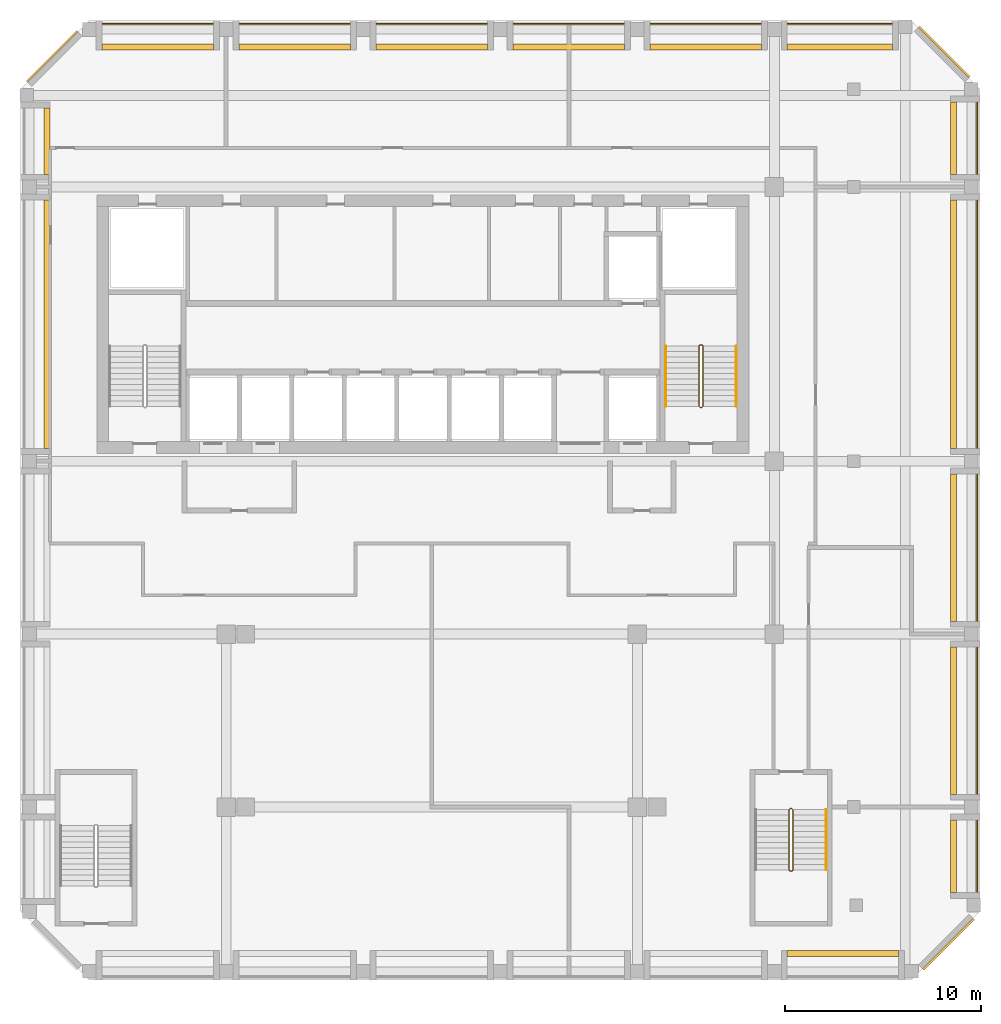
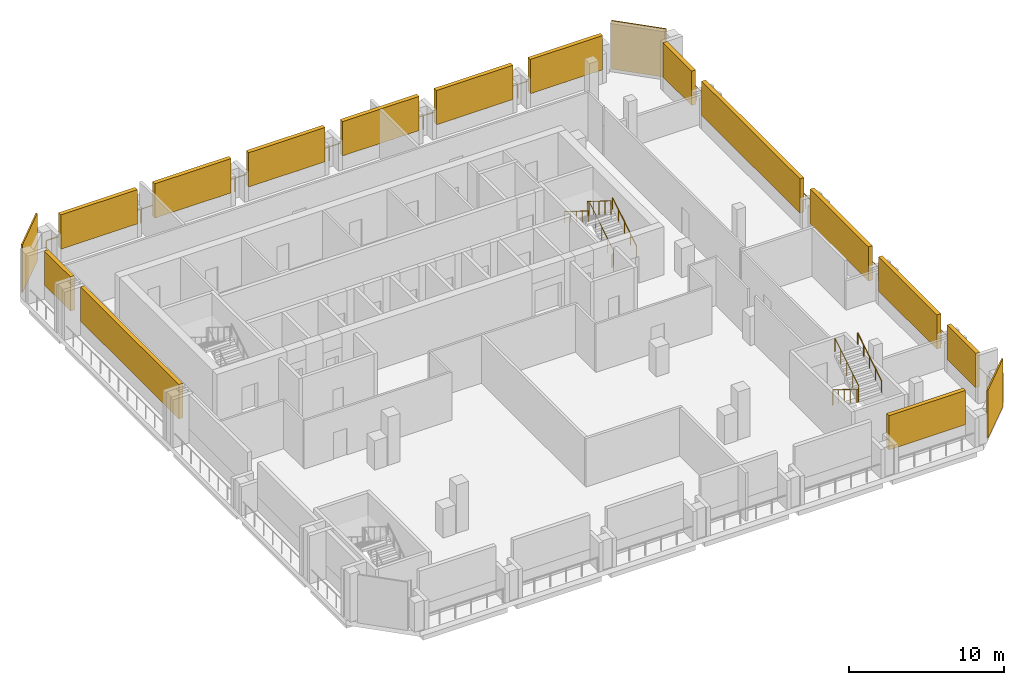
# One storey, part 7 of 7: 17 shading devices, 7 railings.
"""IFC4 building model written with IfcOpenShell, lengths in metres."""

import ifcopenshell
import ifcopenshell.guid

model = None  # the IFC model being written
_history = None  # IfcOwnerHistory: only IFC2X3 demands one
_inside = {}  # id of a spatial element -> (the spatial element, [elements in it])
_under = {}  # id of a project, library or spatial element -> (it, [spatial elements below it])
_declared = {}  # id of a project -> (the project, [libraries it declares])
_typed = {}  # id of a type object -> (the type object, [elements of that type])
_made_of = {}  # id of a material, layer set ... -> (it, [elements and type objects made of it])


def new_model(schema):
    """Start an empty IFC model of exactly this schema.

    Asked for "IFC4X3", IfcOpenShell would pick the latest addendum, in which some entities
    have other attributes; the version numbers below select the first issue.
    IFC2X3 requires an IfcOwnerHistory on every rooted entity: one is made here for all.
    """
    global model, _history
    if schema == "IFC4X3":
        model = ifcopenshell.file(schema_version=(4, 3, 0, 0))
    else:
        model = ifcopenshell.file(schema=schema)
    _inside.clear()
    _under.clear()
    _declared.clear()
    _typed.clear()
    _made_of.clear()
    _history = None
    if model.schema == "IFC2X3":
        org = make("IfcOrganization", Name="unknown")
        user = make(
            "IfcPersonAndOrganization",
            ThePerson=make("IfcPerson", FamilyName="unknown"),
            TheOrganization=org,
        )
        app = make(
            "IfcApplication",
            ApplicationDeveloper=org,
            Version="unknown",
            ApplicationFullName="unknown",
            ApplicationIdentifier="unknown",
        )
        _history = make(
            "IfcOwnerHistory",
            OwningUser=user,
            OwningApplication=app,
            ChangeAction="ADDED",
            CreationDate=0,
        )
    return model


def make(cls, **values):
    """One entity of the class cls with the attributes given. An attribute that is None is left unset."""
    return model.create_entity(
        cls, **{name: value for name, value in values.items() if value is not None}
    )


def rooted(cls, **values):
    """An entity with a GlobalId (a new one), such as an element, a storey or a relation."""
    return make(cls, GlobalId=ifcopenshell.guid.new(), OwnerHistory=_history, **values)


def si_unit(unit_type, name, prefix=None):
    """IfcSIUnit, for example si_unit("LENGTHUNIT", "METRE", prefix="MILLI")."""
    return make("IfcSIUnit", UnitType=unit_type, Prefix=prefix, Name=name)


def assignment(units):
    """IfcUnitAssignment: the units of a project."""
    return None if units is None else make("IfcUnitAssignment", Units=units)


def point(xyz):
    """IfcCartesianPoint."""
    return None if xyz is None else make("IfcCartesianPoint", Coordinates=xyz)


def direction(xyz):
    """IfcDirection."""
    return None if xyz is None else make("IfcDirection", DirectionRatios=xyz)


def frame(location, z_axis=None, x_axis=None):
    """IfcAxis2Placement3D, a coordinate frame: its origin and axes. An axis left out is left unset."""
    return make(
        "IfcAxis2Placement3D",
        Location=point(location),
        Axis=direction(z_axis),
        RefDirection=direction(x_axis),
    )


def frame_2d(location, x_axis=None):
    """IfcAxis2Placement2D, a coordinate frame in the plane: its origin and x axis."""
    return make(
        "IfcAxis2Placement2D", Location=point(location), RefDirection=direction(x_axis)
    )


def origin():
    """The frame at (0, 0, 0) with its axes left unset."""
    return frame((0.0, 0.0, 0.0))


def origin_2d():
    """The frame at (0, 0) in the plane with its x axis left unset."""
    return frame_2d((0.0, 0.0))


def place(relative_to, where):
    """IfcLocalPlacement: puts the frame where relative to a parent placement (None: the world)."""
    return make(
        "IfcLocalPlacement", PlacementRelTo=relative_to, RelativePlacement=where
    )


def context(
    kind, dimensions, precision=None, world=None, true_north=None, identifier=None
):
    """IfcGeometricRepresentationContext, for example the 3D "Model" context."""
    return make(
        "IfcGeometricRepresentationContext",
        ContextIdentifier=identifier,
        ContextType=kind,
        CoordinateSpaceDimension=dimensions,
        Precision=precision,
        WorldCoordinateSystem=world,
        TrueNorth=true_north,
    )


def subcontext(parent, identifier, kind, view, scale=None):
    """IfcGeometricRepresentationSubContext, for example "Body" below "Model"."""
    return make(
        "IfcGeometricRepresentationSubContext",
        ContextIdentifier=identifier,
        ContextType=kind,
        ParentContext=parent,
        TargetScale=scale,
        TargetView=view,
    )


def project(units=None, contexts=None):
    """IfcProject with its units and contexts."""
    return rooted(
        "IfcProject",
        Name="project",
        RepresentationContexts=contexts,
        UnitsInContext=assignment(units),
    )


def spatial(cls, under=None, at=None, **own):
    """A site, building, storey or space (cls), placed at a placement, below another one or the project."""
    s = rooted(cls, ObjectPlacement=at, **own)
    if under is not None:
        _under.setdefault(under.id(), (under, []))[1].append(s)
    return s


def profile(cls, at=None, kind="AREA", **sizes):
    """A parametric profile (cls). Its sizes go by their IFC names, for example OverallWidth=200.0."""
    return make(cls, ProfileType=kind, Position=at, **sizes)


def rectangle(**sizes):
    """IfcRectangleProfileDef."""
    return profile("IfcRectangleProfileDef", **sizes)


def circle(**sizes):
    """IfcCircleProfileDef."""
    return profile("IfcCircleProfileDef", **sizes)


def extrude(swept, where, along, depth):
    """IfcExtrudedAreaSolid: the profile swept, set in the frame where, extruded along a direction by depth."""
    return make(
        "IfcExtrudedAreaSolid",
        SweptArea=swept,
        Position=where,
        ExtrudedDirection=direction(along),
        Depth=depth,
    )


def shape(context_of_items, identifier, shape_type, items):
    """IfcShapeRepresentation: the items that make up one representation, for example the "Body"."""
    return make(
        "IfcShapeRepresentation",
        ContextOfItems=context_of_items,
        RepresentationIdentifier=identifier,
        RepresentationType=shape_type,
        Items=items,
    )


def source(mapping_origin, context_of_items, identifier, shape_type, items):
    """IfcRepresentationMap: a shape defined once, which mapped items show again and again."""
    return make(
        "IfcRepresentationMap",
        MappingOrigin=mapping_origin,
        MappedRepresentation=shape(context_of_items, identifier, shape_type, items),
    )


def transform(
    local_origin,
    x_axis=None,
    y_axis=None,
    z_axis=None,
    scale=None,
    scale2=None,
    scale3=None,
    uniform=True,
):
    """IfcCartesianTransformationOperator3D, or its non-uniform kind. x_axis, y_axis, z_axis: its Axis1, 2, 3."""
    if uniform:
        return make(
            "IfcCartesianTransformationOperator3D",
            Axis1=direction(x_axis),
            Axis2=direction(y_axis),
            LocalOrigin=point(local_origin),
            Scale=scale,
            Axis3=direction(z_axis),
        )
    return make(
        "IfcCartesianTransformationOperator3DnonUniform",
        Axis1=direction(x_axis),
        Axis2=direction(y_axis),
        LocalOrigin=point(local_origin),
        Scale=scale,
        Axis3=direction(z_axis),
        Scale2=scale2,
        Scale3=scale3,
    )


def mapped(mapping_source, mapping_target):
    """IfcMappedItem: shows the shape of a source again, moved by a transform."""
    return make(
        "IfcMappedItem", MappingSource=mapping_source, MappingTarget=mapping_target
    )


def material(Name=None, Category=None):
    """IfcMaterial."""
    return make("IfcMaterial", Name=Name, Category=Category)


def layer(
    of_material, thickness, ventilated=None, Name=None, Category=None, Priority=None
):
    """IfcMaterialLayer: one layer of a wall or slab, of a material (None: an air gap)."""
    return make(
        "IfcMaterialLayer",
        Material=of_material,
        LayerThickness=thickness,
        IsVentilated=ventilated,
        Name=Name,
        Category=Category,
        Priority=Priority,
    )


def layer_set(layers, Name=None):
    """IfcMaterialLayerSet."""
    return make("IfcMaterialLayerSet", MaterialLayers=layers, LayerSetName=Name)


def made_of(thing, what):
    """Note that an element or type object is made of a material, layer set ...; save() writes the relation."""
    if what is not None:
        _made_of.setdefault(what.id(), (what, []))[1].append(thing)
    return thing


def type_object(cls, material=None, **own):
    """A type object (cls), such as IfcWallType, which elements share."""
    return made_of(rooted(cls, **own), material)


def element(
    cls,
    number,
    at=None,
    inside=None,
    cuts=None,
    type_object=None,
    material=None,
    context=None,
    identifier="Body",
    shape_type=None,
    held_by="IfcProductDefinitionShape",
    body=None,
    shapes=None,
    **own,
):
    """One element of the class cls, such as IfcWall. Its Tag is "e" and its number.

    at: its placement. inside: the storey or other place that contains it. cuts: it is an
    opening in that element (IfcRelVoidsElement). A single representation is given by context,
    identifier, shape_type and body (its items); several are given by shapes. held_by: the class
    of the entity that holds the representations. save() writes the other relations.
    """
    e = rooted(cls, Tag="e%d" % number, ObjectPlacement=at, **own)
    if body is not None:
        shapes = [shape(context, identifier, shape_type, body)]
    if shapes is not None:
        e.Representation = make(held_by, Representations=shapes)
    if inside is not None:
        _inside.setdefault(inside.id(), (inside, []))[1].append(e)
    if cuts is not None:
        rooted(
            "IfcRelVoidsElement", RelatingBuildingElement=cuts, RelatedOpeningElement=e
        )
    if type_object is not None:
        _typed.setdefault(type_object.id(), (type_object, []))[1].append(e)
    return made_of(e, material)


def aggregate(whole, parts):
    """IfcRelAggregates: a whole, such as a stair, and the parts it consists of."""
    return rooted("IfcRelAggregates", RelatingObject=whole, RelatedObjects=parts)


def save(model, path):
    """Write the relations noted so far, then the file.

    IfcRelAggregates (storeys below a building ...), IfcRelContainedInSpatialStructure (elements
    in a storey), IfcRelDefinesByType, IfcRelAssociatesMaterial and IfcRelDeclares: one each for
    every whole, place, type object, material and project.
    """
    for whole, parts in _under.values():
        aggregate(whole, parts)
    for where, things in _inside.values():
        rooted(
            "IfcRelContainedInSpatialStructure",
            RelatedElements=things,
            RelatingStructure=where,
        )
    for kind, things in _typed.values():
        rooted("IfcRelDefinesByType", RelatedObjects=things, RelatingType=kind)
    for what, things in _made_of.values():
        rooted("IfcRelAssociatesMaterial", RelatedObjects=things, RelatingMaterial=what)
    for by, libraries in _declared.values():
        rooted("IfcRelDeclares", RelatingContext=by, RelatedDefinitions=libraries)
    model.write(path)


model = new_model("IFC4")

# Units and contexts
model_context = context("Model", 3, precision=1e-05, world=origin(), true_north=direction((0.0, 1.0)))
body_context = subcontext(model_context, "Body", "Model", "MODEL_VIEW")
ifc_project = project(units=[si_unit("LENGTHUNIT", "METRE"), si_unit("AREAUNIT", "SQUARE_METRE"), si_unit("VOLUMEUNIT", "CUBIC_METRE"), si_unit("PLANEANGLEUNIT", "RADIAN"), si_unit("MASSUNIT", "GRAM", prefix="KILO")], contexts=[model_context])

# Site, building, storey
site_placement = place(None, origin())
site = spatial("IfcSite", under=ifc_project, at=site_placement, CompositionType="ELEMENT")
building_placement = place(site_placement, origin())
building = spatial("IfcBuilding", under=site, at=building_placement, Name="Kilnfold Tower and Market Hall", CompositionType="ELEMENT")
storey_placement = place(building_placement, frame((0.0, 0.0, 262.800048828125)))
storey = spatial("IfcBuildingStorey", under=building, at=storey_placement, Name="L64 Plant Transfer Level", CompositionType="ELEMENT", Elevation=262.800048828125)

# Railings
ifc_material_1 = material(Name="Stainless steel 316", Category="steel")
railing_type_1 = type_object("IfcRailingType", Name="CORE STAIR GUARD 1100", PredefinedType="GUARDRAIL", material=ifc_material_1)
railing_1_placement = place(storey_placement, frame((15.199951171875, 10.75, 0.0)))
element("IfcRailing", 1, at=railing_1_placement, inside=storey, type_object=railing_type_1, Name="L64 Plant Transfer Level ST2 stair guard 1", PredefinedType="GUARDRAIL", context=body_context, shape_type="SweptSolid", body=[
    extrude(circle(Radius=0.02392578125, at=origin_2d()), frame((0.0, 0.0, 1.076171875), z_axis=(1.0, 0.0, 0.0), x_axis=(0.0, 1.0, 0.0)), (0.0, 0.0, 1.0), 0.10009765625),
    extrude(circle(Radius=0.02392578125, at=origin_2d()), frame((0.10009765625, 0.0, 1.076171875), z_axis=(0.265065253269, 0.265065253269, 0.927081885822), x_axis=(-0.707106781187, 0.707106781187, 0.0)), (0.0, 0.0, 1.0), 0.188720703125),
    extrude(circle(Radius=0.02392578125, at=origin_2d()), frame((0.150146484375, 0.050048828125, 1.2509765625), z_axis=(0.0, 0.848009633417, 0.529980812513), x_axis=(-1.0, 0.0, 0.0)), (0.0, 0.0, 1.0), 3.6318359375),
    extrude(circle(Radius=0.02392578125, at=origin_2d()), frame((0.150146484375, 3.1298828125, 3.17578125), z_axis=(-0.707106781187, 0.707106781187, 0.0), x_axis=(-0.707106781187, -0.707106781187, 0.0)), (0.0, 0.0, 1.0), 0.07080078125),
    extrude(circle(Radius=0.02392578125, at=origin_2d()), frame((0.10009765625, 3.179931640625, 3.17578125), z_axis=(-1.0, 0.0, 0.0), x_axis=(0.0, -1.0, 0.0)), (0.0, 0.0, 1.0), 0.10009765625),
    extrude(circle(Radius=0.02392578125, at=origin_2d()), frame((0.0, 3.179931640625, 3.17578125), z_axis=(-0.265065253269, -0.265065253269, 0.927081885822), x_axis=(0.707106781187, -0.707106781187, 0.0)), (0.0, 0.0, 1.0), 0.188720703125),
    extrude(circle(Radius=0.02392578125, at=origin_2d()), frame((-0.050048828125, 3.1298828125, 3.35107421875), z_axis=(0.0, -0.847979421464, 0.530029150871), x_axis=(1.0, 0.0, 0.0)), (0.0, 0.0, 1.0), 3.632080078125),
    extrude(circle(Radius=0.02099609375, at=origin_2d()), origin(), (0.0, 0.0, 1.0), 1.052001953125),
    extrude(circle(Radius=0.02099609375, at=origin_2d()), frame((0.10009765625, 0.0, 0.0)), (0.0, 0.0, 1.0), 1.052001953125),
    extrude(circle(Radius=0.02099609375, at=origin_2d()), frame((0.150146484375, 0.050048828125, 0.175048828125)), (0.0, 0.0, 1.0), 1.052001953125),
    extrude(circle(Radius=0.02099609375, at=origin_2d()), frame((0.150146484375, 0.820068359375, 0.65625)), (0.0, 0.0, 1.0), 1.052001953125),
    extrude(circle(Radius=0.02099609375, at=origin_2d()), frame((0.150146484375, 1.58984375, 1.137451171875)), (0.0, 0.0, 1.0), 1.052001953125),
    extrude(circle(Radius=0.02099609375, at=origin_2d()), frame((0.150146484375, 2.35986328125, 1.61865234375)), (0.0, 0.0, 1.0), 1.052001953125),
    extrude(circle(Radius=0.02099609375, at=origin_2d()), frame((0.150146484375, 3.1298828125, 2.099853515625)), (0.0, 0.0, 1.0), 1.052001953125),
    extrude(circle(Radius=0.02099609375, at=origin_2d()), frame((0.10009765625, 3.179931640625, 2.099853515625)), (0.0, 0.0, 1.0), 1.052001953125),
    extrude(circle(Radius=0.02099609375, at=origin_2d()), frame((0.0, 3.179931640625, 2.099853515625)), (0.0, 0.0, 1.0), 1.052001953125),
    extrude(circle(Radius=0.02099609375, at=origin_2d()), frame((-0.050048828125, 3.1298828125, 2.27490234375)), (0.0, 0.0, 1.0), 1.052001953125),
    extrude(circle(Radius=0.02099609375, at=origin_2d()), frame((-0.050048828125, 2.35986328125, 2.756103515625)), (0.0, 0.0, 1.0), 1.052001953125),
    extrude(circle(Radius=0.02099609375, at=origin_2d()), frame((-0.050048828125, 1.58984375, 3.2373046875)), (0.0, 0.0, 1.0), 1.052001953125),
    extrude(circle(Radius=0.02099609375, at=origin_2d()), frame((-0.050048828125, 0.820068359375, 3.71875)), (0.0, 0.0, 1.0), 1.052001953125),
    extrude(circle(Radius=0.02099609375, at=origin_2d()), frame((-0.050048828125, 0.050048828125, 4.199951171875)), (0.0, 0.0, 1.0), 1.052001953125),
])
railing_2_placement = place(storey_placement, frame((19.89990234375, -9.75, 0.0)))
element("IfcRailing", 2, at=railing_2_placement, inside=storey, type_object=railing_type_1, Name="L64 Plant Transfer Level ST4 stair guard 1", PredefinedType="GUARDRAIL", context=body_context, shape_type="SweptSolid", body=[
    extrude(circle(Radius=0.02392578125, at=origin_2d()), frame((0.0, 0.0, 1.076171875), z_axis=(-1.0, 0.0, 0.0), x_axis=(0.0, -1.0, 0.0)), (0.0, 0.0, 1.0), 0.099853515625),
    extrude(circle(Radius=0.02392578125, at=origin_2d()), frame((-0.099853515625, 0.0, 1.076171875), z_axis=(-0.265065253269, -0.265065253269, 0.927081885822), x_axis=(0.707106781187, -0.707106781187, 0.0)), (0.0, 0.0, 1.0), 0.188720703125),
    extrude(circle(Radius=0.02392578125, at=origin_2d()), frame((-0.14990234375, -0.050048828125, 1.2509765625), z_axis=(0.0, -0.848009633417, 0.529980812513), x_axis=(1.0, 0.0, 0.0)), (0.0, 0.0, 1.0), 3.6318359375),
    extrude(circle(Radius=0.02392578125, at=origin_2d()), frame((-0.14990234375, -3.1298828125, 3.17578125), z_axis=(0.707106781187, -0.707106781187, 0.0), x_axis=(0.707106781187, 0.707106781187, 0.0)), (0.0, 0.0, 1.0), 0.07080078125),
    extrude(circle(Radius=0.02392578125, at=origin_2d()), frame((-0.099853515625, -3.179931640625, 3.17578125), z_axis=(1.0, 0.0, 0.0), x_axis=(0.0, 1.0, 0.0)), (0.0, 0.0, 1.0), 0.099853515625),
    extrude(circle(Radius=0.02392578125, at=origin_2d()), frame((0.0, -3.179931640625, 3.17578125), z_axis=(0.265065253269, 0.265065253269, 0.927081885822), x_axis=(-0.707106781187, 0.707106781187, 0.0)), (0.0, 0.0, 1.0), 0.188720703125),
    extrude(circle(Radius=0.02392578125, at=origin_2d()), frame((0.050048828125, -3.1298828125, 3.35107421875), z_axis=(0.0, 0.847979421464, 0.530029150871), x_axis=(-1.0, 0.0, 0.0)), (0.0, 0.0, 1.0), 3.632080078125),
    extrude(circle(Radius=0.02099609375, at=origin_2d()), origin(), (0.0, 0.0, 1.0), 1.052001953125),
    extrude(circle(Radius=0.02099609375, at=origin_2d()), frame((-0.099853515625, 0.0, 0.0)), (0.0, 0.0, 1.0), 1.052001953125),
    extrude(circle(Radius=0.02099609375, at=origin_2d()), frame((-0.14990234375, -0.050048828125, 0.175048828125)), (0.0, 0.0, 1.0), 1.052001953125),
    extrude(circle(Radius=0.02099609375, at=origin_2d()), frame((-0.14990234375, -0.820068359375, 0.65625)), (0.0, 0.0, 1.0), 1.052001953125),
    extrude(circle(Radius=0.02099609375, at=origin_2d()), frame((-0.14990234375, -1.58984375, 1.137451171875)), (0.0, 0.0, 1.0), 1.052001953125),
    extrude(circle(Radius=0.02099609375, at=origin_2d()), frame((-0.14990234375, -2.35986328125, 1.61865234375)), (0.0, 0.0, 1.0), 1.052001953125),
    extrude(circle(Radius=0.02099609375, at=origin_2d()), frame((-0.14990234375, -3.1298828125, 2.099853515625)), (0.0, 0.0, 1.0), 1.052001953125),
    extrude(circle(Radius=0.02099609375, at=origin_2d()), frame((-0.099853515625, -3.179931640625, 2.099853515625)), (0.0, 0.0, 1.0), 1.052001953125),
    extrude(circle(Radius=0.02099609375, at=origin_2d()), frame((0.0, -3.179931640625, 2.099853515625)), (0.0, 0.0, 1.0), 1.052001953125),
    extrude(circle(Radius=0.02099609375, at=origin_2d()), frame((0.050048828125, -3.1298828125, 2.27490234375)), (0.0, 0.0, 1.0), 1.052001953125),
    extrude(circle(Radius=0.02099609375, at=origin_2d()), frame((0.050048828125, -2.35986328125, 2.756103515625)), (0.0, 0.0, 1.0), 1.052001953125),
    extrude(circle(Radius=0.02099609375, at=origin_2d()), frame((0.050048828125, -1.58984375, 3.2373046875)), (0.0, 0.0, 1.0), 1.052001953125),
    extrude(circle(Radius=0.02099609375, at=origin_2d()), frame((0.050048828125, -0.820068359375, 3.71875)), (0.0, 0.0, 1.0), 1.052001953125),
    extrude(circle(Radius=0.02099609375, at=origin_2d()), frame((0.050048828125, -0.050048828125, 4.199951171875)), (0.0, 0.0, 1.0), 1.052001953125),
])
ifc_material_2 = material(Name="Stainless steel 316", Category="steel")
railing_type_2 = type_object("IfcRailingType", Name="CORE STAIR HANDRAIL 900", PredefinedType="HANDRAIL", material=ifc_material_2)
railing_3_placement = place(storey_placement, frame((17.050048828125, 10.800048828125, 0.175048828125)))
element("IfcRailing", 3, at=railing_3_placement, inside=storey, type_object=railing_type_2, Name="L64 Plant Transfer Level ST2 stair handrail 1", PredefinedType="HANDRAIL", context=body_context, shape_type="SweptSolid", body=[
    extrude(circle(Radius=0.02392578125, at=origin_2d()), frame((0.0, 0.0, 0.8759765625), z_axis=(0.0, 0.848009633417, 0.529980812513), x_axis=(-1.0, 0.0, 0.0)), (0.0, 0.0, 1.0), 3.6318359375),
    extrude(circle(Radius=0.02099609375, at=origin_2d()), origin(), (0.0, 0.0, 1.0), 0.851806640625),
    extrude(circle(Radius=0.02099609375, at=origin_2d()), frame((0.0, 0.77001953125, 0.481201171875)), (0.0, 0.0, 1.0), 0.851806640625),
    extrude(circle(Radius=0.02099609375, at=origin_2d()), frame((0.0, 1.5400390625, 0.96240234375)), (0.0, 0.0, 1.0), 0.851806640625),
    extrude(circle(Radius=0.02099609375, at=origin_2d()), frame((0.0, 2.309814453125, 1.443603515625)), (0.0, 0.0, 1.0), 0.851806640625),
    extrude(circle(Radius=0.02099609375, at=origin_2d()), frame((0.0, 3.079833984375, 1.9248046875)), (0.0, 0.0, 1.0), 0.851806640625),
])
railing_4_placement = place(storey_placement, frame((13.449951171875, 13.8798828125, 2.27490234375)))
element("IfcRailing", 4, at=railing_4_placement, inside=storey, type_object=railing_type_2, Name="L64 Plant Transfer Level ST2 stair handrail 2", PredefinedType="HANDRAIL", context=body_context, shape_type="SweptSolid", body=[
    extrude(circle(Radius=0.02392578125, at=origin_2d()), frame((0.0, 0.0, 0.8759765625), z_axis=(0.0, -0.847979421464, 0.530029150871), x_axis=(1.0, 0.0, 0.0)), (0.0, 0.0, 1.0), 3.632080078125),
    extrude(circle(Radius=0.02099609375, at=origin_2d()), origin(), (0.0, 0.0, 1.0), 0.851806640625),
    extrude(circle(Radius=0.02099609375, at=origin_2d()), frame((0.0, -0.77001953125, 0.481201171875)), (0.0, 0.0, 1.0), 0.851806640625),
    extrude(circle(Radius=0.02099609375, at=origin_2d()), frame((0.0, -1.5400390625, 0.96240234375)), (0.0, 0.0, 1.0), 0.851806640625),
    extrude(circle(Radius=0.02099609375, at=origin_2d()), frame((0.0, -2.309814453125, 1.44384765625)), (0.0, 0.0, 1.0), 0.851806640625),
    extrude(circle(Radius=0.02099609375, at=origin_2d()), frame((0.0, -3.079833984375, 1.925048828125)), (0.0, 0.0, 1.0), 0.851806640625),
])
railing_5_placement = place(storey_placement, frame((21.64990234375, -12.8798828125, 2.27490234375)))
element("IfcRailing", 5, at=railing_5_placement, inside=storey, type_object=railing_type_2, Name="L64 Plant Transfer Level ST4 stair handrail 2", PredefinedType="HANDRAIL", context=body_context, shape_type="SweptSolid", body=[
    extrude(circle(Radius=0.02392578125, at=origin_2d()), frame((0.0, 0.0, 0.8759765625), z_axis=(0.0, 0.847979421464, 0.530029150871), x_axis=(-1.0, 0.0, 0.0)), (0.0, 0.0, 1.0), 3.632080078125),
    extrude(circle(Radius=0.02099609375, at=origin_2d()), origin(), (0.0, 0.0, 1.0), 0.851806640625),
    extrude(circle(Radius=0.02099609375, at=origin_2d()), frame((0.0, 0.77001953125, 0.481201171875)), (0.0, 0.0, 1.0), 0.851806640625),
    extrude(circle(Radius=0.02099609375, at=origin_2d()), frame((0.0, 1.5400390625, 0.96240234375)), (0.0, 0.0, 1.0), 0.851806640625),
    extrude(circle(Radius=0.02099609375, at=origin_2d()), frame((0.0, 2.309814453125, 1.44384765625)), (0.0, 0.0, 1.0), 0.851806640625),
    extrude(circle(Radius=0.02099609375, at=origin_2d()), frame((0.0, 3.079833984375, 1.925048828125)), (0.0, 0.0, 1.0), 0.851806640625),
])
ifc_material_3 = material(Name="Stainless steel and laminated glass", Category="steel")
railing_type_3 = type_object("IfcRailingType", Name="GUARD 1100", PredefinedType="GUARDRAIL", material=ifc_material_3)
railing_6_placement = place(storey_placement, frame((29.35009765625, -14.331787109375, 0.0)))
element("IfcRailing", 6, at=railing_6_placement, inside=storey, type_object=railing_type_3, Name="Guard plant edge E L64", PredefinedType="GUARDRAIL", context=body_context, shape_type="SweptSolid", body=[
    extrude(circle(Radius=0.02490234375, at=origin_2d()), frame((0.0, 0.0, 1.0751953125), z_axis=(0.0, 1.0, 0.0), x_axis=(-1.0, 0.0, 0.0)), (0.0, 0.0, 1.0), 40.981689453125),
    extrude(circle(Radius=0.02490234375, at=origin_2d()), origin(), (0.0, 0.0, 1.0), 1.050048828125),
    extrude(circle(Radius=0.02490234375, at=origin_2d()), frame((0.0, 1.1708984375, 0.0)), (0.0, 0.0, 1.0), 1.050048828125),
    extrude(circle(Radius=0.02490234375, at=origin_2d()), frame((0.0, 2.341796875, 0.0)), (0.0, 0.0, 1.0), 1.050048828125),
    extrude(circle(Radius=0.02490234375, at=origin_2d()), frame((0.0, 3.5126953125, 0.0)), (0.0, 0.0, 1.0), 1.050048828125),
    extrude(circle(Radius=0.02490234375, at=origin_2d()), frame((0.0, 4.68359375, 0.0)), (0.0, 0.0, 1.0), 1.050048828125),
    extrude(circle(Radius=0.02490234375, at=origin_2d()), frame((0.0, 5.8544921875, 0.0)), (0.0, 0.0, 1.0), 1.050048828125),
    extrude(circle(Radius=0.02490234375, at=origin_2d()), frame((0.0, 7.025390625, 0.0)), (0.0, 0.0, 1.0), 1.050048828125),
    extrude(circle(Radius=0.02490234375, at=origin_2d()), frame((0.0, 8.1962890625, 0.0)), (0.0, 0.0, 1.0), 1.050048828125),
    extrude(circle(Radius=0.02490234375, at=origin_2d()), frame((0.0, 9.3671875, 0.0)), (0.0, 0.0, 1.0), 1.050048828125),
    extrude(circle(Radius=0.02490234375, at=origin_2d()), frame((0.0, 10.5380859375, 0.0)), (0.0, 0.0, 1.0), 1.050048828125),
    extrude(circle(Radius=0.02490234375, at=origin_2d()), frame((0.0, 11.708984375, 0.0)), (0.0, 0.0, 1.0), 1.050048828125),
    extrude(circle(Radius=0.02490234375, at=origin_2d()), frame((0.0, 12.8798828125, 0.0)), (0.0, 0.0, 1.0), 1.050048828125),
    extrude(circle(Radius=0.02490234375, at=origin_2d()), frame((0.0, 14.05078125, 0.0)), (0.0, 0.0, 1.0), 1.050048828125),
    extrude(circle(Radius=0.02490234375, at=origin_2d()), frame((0.0, 15.2216796875, 0.0)), (0.0, 0.0, 1.0), 1.050048828125),
    extrude(circle(Radius=0.02490234375, at=origin_2d()), frame((0.0, 16.392578125, 0.0)), (0.0, 0.0, 1.0), 1.050048828125),
    extrude(circle(Radius=0.02490234375, at=origin_2d()), frame((0.0, 17.5634765625, 0.0)), (0.0, 0.0, 1.0), 1.050048828125),
    extrude(circle(Radius=0.02490234375, at=origin_2d()), frame((0.0, 18.734375, 0.0)), (0.0, 0.0, 1.0), 1.050048828125),
    extrude(circle(Radius=0.02490234375, at=origin_2d()), frame((0.0, 19.9052734375, 0.0)), (0.0, 0.0, 1.0), 1.050048828125),
    extrude(circle(Radius=0.02490234375, at=origin_2d()), frame((0.0, 21.076416015625, 0.0)), (0.0, 0.0, 1.0), 1.050048828125),
    extrude(circle(Radius=0.02490234375, at=origin_2d()), frame((0.0, 22.247314453125, 0.0)), (0.0, 0.0, 1.0), 1.050048828125),
    extrude(circle(Radius=0.02490234375, at=origin_2d()), frame((0.0, 23.418212890625, 0.0)), (0.0, 0.0, 1.0), 1.050048828125),
    extrude(circle(Radius=0.02490234375, at=origin_2d()), frame((0.0, 24.589111328125, 0.0)), (0.0, 0.0, 1.0), 1.050048828125),
    extrude(circle(Radius=0.02490234375, at=origin_2d()), frame((0.0, 25.760009765625, 0.0)), (0.0, 0.0, 1.0), 1.050048828125),
    extrude(circle(Radius=0.02490234375, at=origin_2d()), frame((0.0, 26.930908203125, 0.0)), (0.0, 0.0, 1.0), 1.050048828125),
    extrude(circle(Radius=0.02490234375, at=origin_2d()), frame((0.0, 28.101806640625, 0.0)), (0.0, 0.0, 1.0), 1.050048828125),
    extrude(circle(Radius=0.02490234375, at=origin_2d()), frame((0.0, 29.272705078125, 0.0)), (0.0, 0.0, 1.0), 1.050048828125),
    extrude(circle(Radius=0.02490234375, at=origin_2d()), frame((0.0, 30.443603515625, 0.0)), (0.0, 0.0, 1.0), 1.050048828125),
    extrude(circle(Radius=0.02490234375, at=origin_2d()), frame((0.0, 31.614501953125, 0.0)), (0.0, 0.0, 1.0), 1.050048828125),
    extrude(circle(Radius=0.02490234375, at=origin_2d()), frame((0.0, 32.785400390625, 0.0)), (0.0, 0.0, 1.0), 1.050048828125),
    extrude(circle(Radius=0.02490234375, at=origin_2d()), frame((0.0, 33.956298828125, 0.0)), (0.0, 0.0, 1.0), 1.050048828125),
    extrude(circle(Radius=0.02490234375, at=origin_2d()), frame((0.0, 35.127197265625, 0.0)), (0.0, 0.0, 1.0), 1.050048828125),
    extrude(circle(Radius=0.02490234375, at=origin_2d()), frame((0.0, 36.298095703125, 0.0)), (0.0, 0.0, 1.0), 1.050048828125),
    extrude(circle(Radius=0.02490234375, at=origin_2d()), frame((0.0, 37.468994140625, 0.0)), (0.0, 0.0, 1.0), 1.050048828125),
    extrude(circle(Radius=0.02490234375, at=origin_2d()), frame((0.0, 38.639892578125, 0.0)), (0.0, 0.0, 1.0), 1.050048828125),
    extrude(circle(Radius=0.02490234375, at=origin_2d()), frame((0.0, 39.810791015625, 0.0)), (0.0, 0.0, 1.0), 1.050048828125),
    extrude(circle(Radius=0.02490234375, at=origin_2d()), frame((0.0, 40.981689453125, 0.0)), (0.0, 0.0, 1.0), 1.050048828125),
])
railing_7_placement = place(storey_placement, frame((25.331787109375, 30.35009765625, 0.0)))
element("IfcRailing", 7, at=railing_7_placement, inside=storey, type_object=railing_type_3, Name="Guard plant edge N L64", PredefinedType="GUARDRAIL", context=body_context, shape_type="SweptSolid", body=[
    extrude(circle(Radius=0.02490234375, at=origin_2d()), frame((0.0, 0.0, 1.0751953125), z_axis=(-1.0, 0.0, 0.0), x_axis=(0.0, -1.0, 0.0)), (0.0, 0.0, 1.0), 40.981689453125),
    extrude(circle(Radius=0.02490234375, at=origin_2d()), origin(), (0.0, 0.0, 1.0), 1.050048828125),
    extrude(circle(Radius=0.02490234375, at=origin_2d()), frame((-1.1708984375, 0.0, 0.0)), (0.0, 0.0, 1.0), 1.050048828125),
    extrude(circle(Radius=0.02490234375, at=origin_2d()), frame((-2.341796875, 0.0, 0.0)), (0.0, 0.0, 1.0), 1.050048828125),
    extrude(circle(Radius=0.02490234375, at=origin_2d()), frame((-3.5126953125, 0.0, 0.0)), (0.0, 0.0, 1.0), 1.050048828125),
    extrude(circle(Radius=0.02490234375, at=origin_2d()), frame((-4.68359375, 0.0, 0.0)), (0.0, 0.0, 1.0), 1.050048828125),
    extrude(circle(Radius=0.02490234375, at=origin_2d()), frame((-5.8544921875, 0.0, 0.0)), (0.0, 0.0, 1.0), 1.050048828125),
    extrude(circle(Radius=0.02490234375, at=origin_2d()), frame((-7.025390625, 0.0, 0.0)), (0.0, 0.0, 1.0), 1.050048828125),
    extrude(circle(Radius=0.02490234375, at=origin_2d()), frame((-8.1962890625, 0.0, 0.0)), (0.0, 0.0, 1.0), 1.050048828125),
    extrude(circle(Radius=0.02490234375, at=origin_2d()), frame((-9.3671875, 0.0, 0.0)), (0.0, 0.0, 1.0), 1.050048828125),
    extrude(circle(Radius=0.02490234375, at=origin_2d()), frame((-10.5380859375, 0.0, 0.0)), (0.0, 0.0, 1.0), 1.050048828125),
    extrude(circle(Radius=0.02490234375, at=origin_2d()), frame((-11.708984375, 0.0, 0.0)), (0.0, 0.0, 1.0), 1.050048828125),
    extrude(circle(Radius=0.02490234375, at=origin_2d()), frame((-12.8798828125, 0.0, 0.0)), (0.0, 0.0, 1.0), 1.050048828125),
    extrude(circle(Radius=0.02490234375, at=origin_2d()), frame((-14.05078125, 0.0, 0.0)), (0.0, 0.0, 1.0), 1.050048828125),
    extrude(circle(Radius=0.02490234375, at=origin_2d()), frame((-15.2216796875, 0.0, 0.0)), (0.0, 0.0, 1.0), 1.050048828125),
    extrude(circle(Radius=0.02490234375, at=origin_2d()), frame((-16.392578125, 0.0, 0.0)), (0.0, 0.0, 1.0), 1.050048828125),
    extrude(circle(Radius=0.02490234375, at=origin_2d()), frame((-17.5634765625, 0.0, 0.0)), (0.0, 0.0, 1.0), 1.050048828125),
    extrude(circle(Radius=0.02490234375, at=origin_2d()), frame((-18.734375, 0.0, 0.0)), (0.0, 0.0, 1.0), 1.050048828125),
    extrude(circle(Radius=0.02490234375, at=origin_2d()), frame((-19.9052734375, 0.0, 0.0)), (0.0, 0.0, 1.0), 1.050048828125),
    extrude(circle(Radius=0.02490234375, at=origin_2d()), frame((-21.076416015625, 0.0, 0.0)), (0.0, 0.0, 1.0), 1.050048828125),
    extrude(circle(Radius=0.02490234375, at=origin_2d()), frame((-22.247314453125, 0.0, 0.0)), (0.0, 0.0, 1.0), 1.050048828125),
    extrude(circle(Radius=0.02490234375, at=origin_2d()), frame((-23.418212890625, 0.0, 0.0)), (0.0, 0.0, 1.0), 1.050048828125),
    extrude(circle(Radius=0.02490234375, at=origin_2d()), frame((-24.589111328125, 0.0, 0.0)), (0.0, 0.0, 1.0), 1.050048828125),
    extrude(circle(Radius=0.02490234375, at=origin_2d()), frame((-25.760009765625, 0.0, 0.0)), (0.0, 0.0, 1.0), 1.050048828125),
    extrude(circle(Radius=0.02490234375, at=origin_2d()), frame((-26.930908203125, 0.0, 0.0)), (0.0, 0.0, 1.0), 1.050048828125),
    extrude(circle(Radius=0.02490234375, at=origin_2d()), frame((-28.101806640625, 0.0, 0.0)), (0.0, 0.0, 1.0), 1.050048828125),
    extrude(circle(Radius=0.02490234375, at=origin_2d()), frame((-29.272705078125, 0.0, 0.0)), (0.0, 0.0, 1.0), 1.050048828125),
    extrude(circle(Radius=0.02490234375, at=origin_2d()), frame((-30.443603515625, 0.0, 0.0)), (0.0, 0.0, 1.0), 1.050048828125),
    extrude(circle(Radius=0.02490234375, at=origin_2d()), frame((-31.614501953125, 0.0, 0.0)), (0.0, 0.0, 1.0), 1.050048828125),
    extrude(circle(Radius=0.02490234375, at=origin_2d()), frame((-32.785400390625, 0.0, 0.0)), (0.0, 0.0, 1.0), 1.050048828125),
    extrude(circle(Radius=0.02490234375, at=origin_2d()), frame((-33.956298828125, 0.0, 0.0)), (0.0, 0.0, 1.0), 1.050048828125),
    extrude(circle(Radius=0.02490234375, at=origin_2d()), frame((-35.127197265625, 0.0, 0.0)), (0.0, 0.0, 1.0), 1.050048828125),
    extrude(circle(Radius=0.02490234375, at=origin_2d()), frame((-36.298095703125, 0.0, 0.0)), (0.0, 0.0, 1.0), 1.050048828125),
    extrude(circle(Radius=0.02490234375, at=origin_2d()), frame((-37.468994140625, 0.0, 0.0)), (0.0, 0.0, 1.0), 1.050048828125),
    extrude(circle(Radius=0.02490234375, at=origin_2d()), frame((-38.639892578125, 0.0, 0.0)), (0.0, 0.0, 1.0), 1.050048828125),
    extrude(circle(Radius=0.02490234375, at=origin_2d()), frame((-39.810791015625, 0.0, 0.0)), (0.0, 0.0, 1.0), 1.050048828125),
    extrude(circle(Radius=0.02490234375, at=origin_2d()), frame((-40.981689453125, 0.0, 0.0)), (0.0, 0.0, 1.0), 1.050048828125),
])

# Shading devices
ifc_material_4 = material(Name="Anodised aluminium", Category="aluminium")
shading_device_type_1 = type_object("IfcShadingDeviceType", Name="LOUVRE", PredefinedType="JALOUSIE", material=ifc_material_4)
shared_shape_1 = source(origin(), body_context, "Body", "SweptSolid", [
    extrude(rectangle(XDim=5.699951171875, YDim=0.300048828125, at=origin_2d()), origin(), (0.0, 0.0, 1.0), 2.699951171875),
])
for number, where, z_axis, x_axis, name in (
    (8, (22.5, -17.14990234375, 1.10009765625), (0.0, 0.0, 1.0), (1.0, 0.0, 0.0), "Plant louvre L64 S"),
    (9, (15.5, 29.14990234375, 1.10009765625), (0.0, 0.0, 1.0), (-1.0, 0.0, 0.0), "Plant louvre L64 N"),
    (10, (8.5, 29.14990234375, 1.10009765625), (0.0, 0.0, 1.0), (-1.0, 0.0, 0.0), "Plant louvre L64 N"),
    (11, (1.5, 29.14990234375, 1.10009765625), (0.0, 0.0, 1.0), (-1.0, 0.0, 0.0), "Plant louvre L64 N"),
    (12, (-5.5, 29.14990234375, 1.10009765625), (0.0, 0.0, 1.0), (-1.0, 0.0, 0.0), "Plant louvre L64 N"),
    (13, (-12.5, 29.14990234375, 1.10009765625), (0.0, 0.0, 1.0), (-1.0, 0.0, 0.0), "Plant louvre L64 N"),
):
    element("IfcShadingDevice", number, at=place(storey_placement, frame(where, z_axis=z_axis, x_axis=x_axis)), inside=storey, type_object=shading_device_type_1, Name=name, ObjectType="LOUVRE", PredefinedType="JALOUSIE", context=body_context, shape_type="MappedRepresentation", body=[
        mapped(shared_shape_1, transform((0.0, 0.0, 0.0))),
    ])
ifc_material_5 = material(Name="Terracotta", Category="masonry")
ifc_layer = layer(ifc_material_5, 0.10009765625)
ifc_layer_set = layer_set([ifc_layer], Name="Terracotta")
shading_device_type_2 = type_object("IfcShadingDeviceType", Name="TERRACOTTA SCREEN 100", PredefinedType="USERDEFINED", material=ifc_layer_set)
shared_shape_2 = source(origin(), body_context, "Body", "SweptSolid", [
    extrude(rectangle(XDim=3.6416015625, YDim=0.10009765625, at=origin_2d()), origin(), (0.0, 0.0, 1.0), 3.800048828125),
])
for number, where, z_axis, x_axis, name in (
    (14, (27.89794921875, -16.6728515625, 0.0), (0.0, 0.0, 1.0), (0.707106781187, 0.707106781187, 0.0), "Plant screen L64 SE"),
    (15, (27.6728515625, 28.89794921875, 0.0), (0.0, 0.0, 1.0), (-0.707106781187, 0.707106781187, 0.0), "Plant screen L64 NE"),
    (16, (-17.89794921875, 28.6728515625, 0.0), (0.0, 0.0, 1.0), (-0.707106781187, -0.707106781187, 0.0), "Plant screen L64 NW"),
):
    element("IfcShadingDevice", number, at=place(storey_placement, frame(where, z_axis=z_axis, x_axis=x_axis)), inside=storey, type_object=shading_device_type_2, Name=name, ObjectType="SCREEN", PredefinedType="USERDEFINED", context=body_context, shape_type="MappedRepresentation", body=[
        mapped(shared_shape_2, transform((0.0, 0.0, 0.0))),
    ])
shared_shape_3 = source(origin(), body_context, "Body", "SweptSolid", [
    extrude(rectangle(XDim=3.715087890625, YDim=0.300048828125, at=origin_2d()), origin(), (0.0, 0.0, 1.0), 2.699951171875),
])
shading_device_1_placement = place(storey_placement, frame((28.14990234375, -12.17431640625, 1.10009765625), z_axis=(0.0, 0.0, 1.0), x_axis=(0.0, 1.0, 0.0)))
element("IfcShadingDevice", 17, at=shading_device_1_placement, inside=storey, type_object=shading_device_type_1, Name="Plant louvre L64 E", ObjectType="LOUVRE", PredefinedType="JALOUSIE", context=body_context, shape_type="MappedRepresentation", body=[
    mapped(shared_shape_3, transform((0.0, 0.0, 0.0))),
])
shared_shape_4 = source(origin(), body_context, "Body", "SweptSolid", [
    extrude(rectangle(XDim=7.533447265625, YDim=0.300048828125, at=origin_2d()), origin(), (0.0, 0.0, 1.0), 2.699951171875),
])
shading_device_2_placement = place(storey_placement, frame((28.14990234375, -5.25, 1.10009765625), z_axis=(0.0, 0.0, 1.0), x_axis=(0.0, 1.0, 0.0)))
element("IfcShadingDevice", 18, at=shading_device_2_placement, inside=storey, type_object=shading_device_type_1, Name="Plant louvre L64 E", ObjectType="LOUVRE", PredefinedType="JALOUSIE", context=body_context, shape_type="MappedRepresentation", body=[
    mapped(shared_shape_4, transform((0.0, 0.0, 0.0))),
])
shared_shape_5 = source(origin(), body_context, "Body", "SweptSolid", [
    extrude(rectangle(XDim=7.533203125, YDim=0.300048828125, at=origin_2d()), origin(), (0.0, 0.0, 1.0), 2.699951171875),
])
shading_device_3_placement = place(storey_placement, frame((28.14990234375, 3.583251953125, 1.10009765625), z_axis=(0.0, 0.0, 1.0), x_axis=(0.0, 1.0, 0.0)))
element("IfcShadingDevice", 19, at=shading_device_3_placement, inside=storey, type_object=shading_device_type_1, Name="Plant louvre L64 E", ObjectType="LOUVRE", PredefinedType="JALOUSIE", context=body_context, shape_type="MappedRepresentation", body=[
    mapped(shared_shape_5, transform((0.0, 0.0, 0.0))),
])
shared_shape_6 = source(origin(), body_context, "Body", "SweptSolid", [
    extrude(rectangle(XDim=12.699951171875, YDim=0.300048828125, at=origin_2d()), origin(), (0.0, 0.0, 1.0), 2.699951171875),
])
for number, where, z_axis, x_axis, name in (
    (20, (28.14990234375, 15.0, 1.10009765625), (0.0, 0.0, 1.0), (0.0, 1.0, 0.0), "Plant louvre L64 E"),
    (21, (-18.14990234375, 15.0, 1.10009765625), (0.0, 0.0, 1.0), (0.0, -1.0, 0.0), "Plant louvre L64 W"),
):
    element("IfcShadingDevice", number, at=place(storey_placement, frame(where, z_axis=z_axis, x_axis=x_axis)), inside=storey, type_object=shading_device_type_1, Name=name, ObjectType="LOUVRE", PredefinedType="JALOUSIE", context=body_context, shape_type="MappedRepresentation", body=[
        mapped(shared_shape_6, transform((0.0, 0.0, 0.0))),
    ])
shared_shape_7 = source(origin(), body_context, "Body", "SweptSolid", [
    extrude(rectangle(XDim=3.699951171875, YDim=0.300048828125, at=origin_2d()), origin(), (0.0, 0.0, 1.0), 2.699951171875),
])
shading_device_4_placement = place(storey_placement, frame((28.14990234375, 24.5, 1.10009765625), z_axis=(0.0, 0.0, 1.0), x_axis=(0.0, 1.0, 0.0)))
element("IfcShadingDevice", 22, at=shading_device_4_placement, inside=storey, type_object=shading_device_type_1, Name="Plant louvre L64 E", ObjectType="LOUVRE", PredefinedType="JALOUSIE", context=body_context, shape_type="MappedRepresentation", body=[
    mapped(shared_shape_7, transform((0.0, 0.0, 0.0))),
])
shared_shape_8 = source(origin(), body_context, "Body", "SweptSolid", [
    extrude(rectangle(XDim=5.3818359375, YDim=0.300048828125, at=origin_2d()), origin(), (0.0, 0.0, 1.0), 2.699951171875),
])
shading_device_5_placement = place(storey_placement, frame((22.3408203125, 29.14990234375, 1.10009765625), z_axis=(0.0, 0.0, 1.0), x_axis=(-1.0, 0.0, 0.0)))
element("IfcShadingDevice", 23, at=shading_device_5_placement, inside=storey, type_object=shading_device_type_1, Name="Plant louvre L64 N", ObjectType="LOUVRE", PredefinedType="JALOUSIE", context=body_context, shape_type="MappedRepresentation", body=[
    mapped(shared_shape_8, transform((0.0, 0.0, 0.0))),
])
shared_shape_9 = source(origin(), body_context, "Body", "SweptSolid", [
    extrude(rectangle(XDim=3.3818359375, YDim=0.300048828125, at=origin_2d()), origin(), (0.0, 0.0, 1.0), 2.699951171875),
])
shading_device_6_placement = place(storey_placement, frame((-18.14990234375, 24.3408203125, 1.10009765625), z_axis=(0.0, 0.0, 1.0), x_axis=(0.0, -1.0, 0.0)))
element("IfcShadingDevice", 24, at=shading_device_6_placement, inside=storey, type_object=shading_device_type_1, Name="Plant louvre L64 W", ObjectType="LOUVRE", PredefinedType="JALOUSIE", context=body_context, shape_type="MappedRepresentation", body=[
    mapped(shared_shape_9, transform((0.0, 0.0, 0.0))),
])

save(model, "model.ifc")
